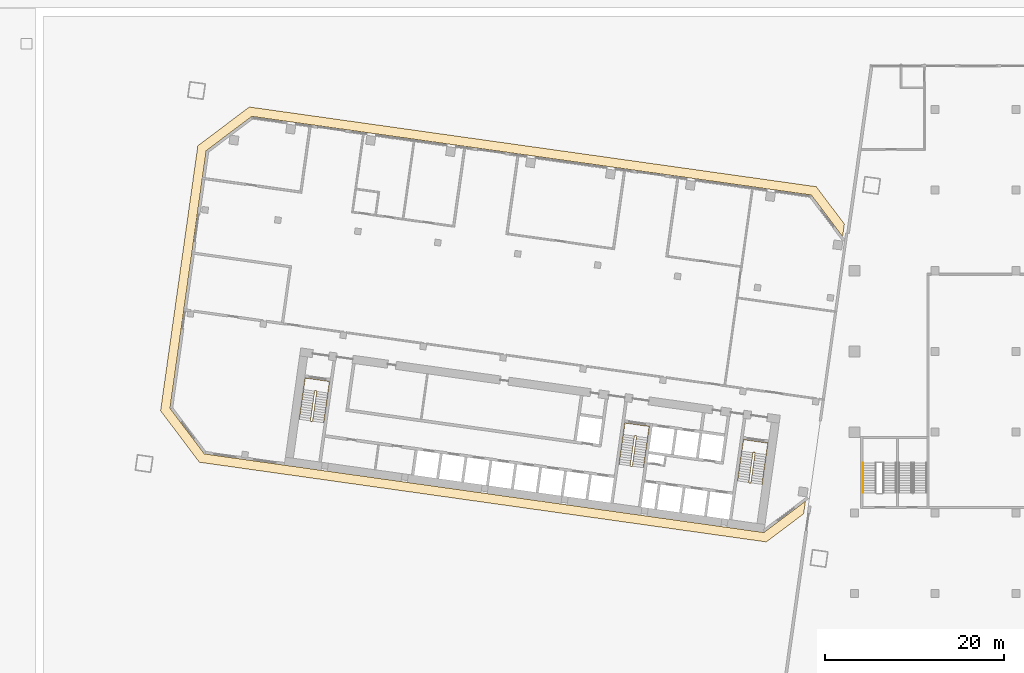
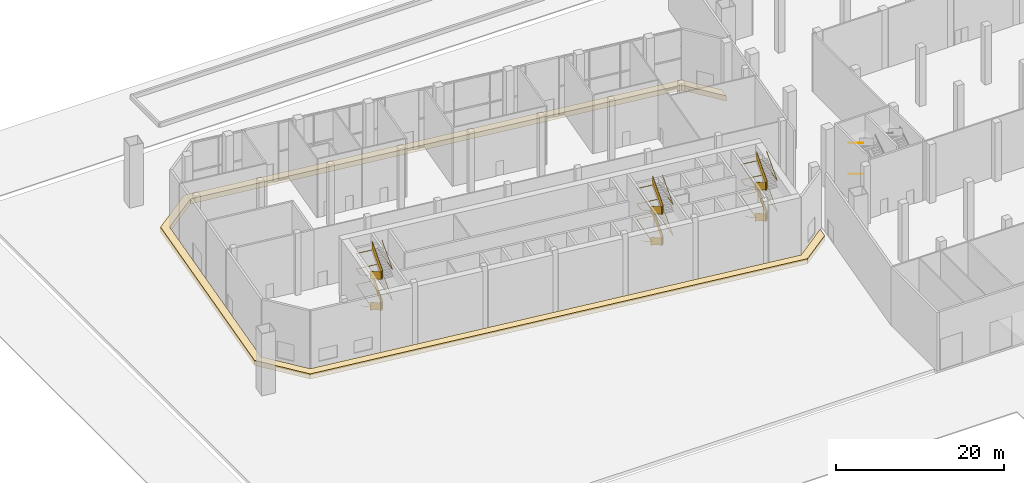
# One storey, part 31 of 34: 8 railings, 1 covering.
"""IFC4 building model written with IfcOpenShell, lengths in metres."""

from ifc_helpers import new_model, si_unit, direction, frame, origin, origin_2d, place, context, subcontext, project, spatial, polyline, rectangle, outline, extrude, material, layer, layer_set, type_object, element, save


model = new_model("IFC4")

# Units and contexts
model_context = context("Model", 3, precision=1e-05, world=origin(), true_north=direction((0.0, 1.0)))
body_context = subcontext(model_context, "Body", "Model", "MODEL_VIEW")
ifc_project = project(units=[si_unit("LENGTHUNIT", "METRE"), si_unit("AREAUNIT", "SQUARE_METRE"), si_unit("VOLUMEUNIT", "CUBIC_METRE"), si_unit("PLANEANGLEUNIT", "RADIAN"), si_unit("MASSUNIT", "GRAM", prefix="KILO")], contexts=[model_context])

# Site, building, storey
site_placement = place(None, origin())
site = spatial("IfcSite", under=ifc_project, at=site_placement, CompositionType="ELEMENT")
building_placement = place(site_placement, origin())
building = spatial("IfcBuilding", under=site, at=building_placement, Name="Mirante Cascada Hotel Towers", CompositionType="ELEMENT")
storey_placement = place(building_placement, origin())
storey = spatial("IfcBuildingStorey", under=building, at=storey_placement, Name="L00", CompositionType="ELEMENT", Elevation=0.0)

# Railings
ifc_material_1 = material(Name="Painted steel", Category="steel")
railing_type_1 = type_object("IfcRailingType", Name="Podium stair handrail 900 steel tube", PredefinedType="HANDRAIL", material=ifc_material_1)
for number, where, name in (
    (1, (-26.025, -12.415, 2.4231), "L00 PS3 stair handrail 2"),
    (2, (-26.025, -12.415, 6.9231), "L00 PS3 stair handrail 4"),
):
    element("IfcRailing", number, at=place(storey_placement, frame(where)), inside=storey, type_object=railing_type_1, Name=name, PredefinedType="HANDRAIL", context=body_context, shape_type="SweptSolid", body=[
        extrude(rectangle(XDim=0.048, YDim=0.048, at=origin_2d()), frame((0.0, 0.0, 0.876), z_axis=(0.0, -1.0, 0.0), x_axis=(1.0, 0.0, 0.0)), (0.0, 0.5257871, 0.8506162), 3.9501),
    ])

# Covering
ifc_material_2 = material(Name="Precast concrete C40/50 white", Category="concrete")
ifc_layer = layer(ifc_material_2, 0.6)
ifc_layer_set = layer_set([ifc_layer], Name="Precast concrete SUNSHADE band 1000x600")
covering_type = type_object("IfcCoveringType", Name="Precast concrete SUNSHADE band 1000x600", PredefinedType="CLADDING", material=ifc_layer_set)
covering_placement = place(storey_placement, frame((0.0, 0.0, -0.6)))
element("IfcCovering", 3, at=covering_placement, inside=storey, type_object=covering_type, Name="Precast concrete SUNSHADE band T1 L00", PredefinedType="CLADDING", context=body_context, shape_type="SweptSolid", body=[
    extrude(outline(polyline([(-100.2139, 22.9287), (-94.4698, 27.2572), (-31.2626, 18.374), (-28.1256, 14.2111), (-28.3224, 12.8107), (-31.8119, 17.4414), (-94.1988, 26.2093), (-99.2813, 22.3794), (-103.3173, -6.3384), (-99.4874, -11.4209), (-37.1005, -20.1888), (-32.4698, -16.6993), (-32.6666, -18.0998), (-36.8295, -21.2367), (-100.0367, -12.3535), (-104.3652, -6.6094), (-100.2139, 22.9287)])), origin(), (0.0, 0.0, 1.0), 0.75),
])

# Railings
ifc_material_3 = material(Name="Painted steel", Category="steel")
railing_type_2 = type_object("IfcRailingType", Name="Stair guard 1100 steel balustrade", PredefinedType="GUARDRAIL", material=ifc_material_3)
railing_1_placement = place(storey_placement, frame((-38.1178, -11.2603, 0.0)))
element("IfcRailing", 4, at=railing_1_placement, inside=storey, type_object=railing_type_2, Name="L00 ST1-A stair guard 1", PredefinedType="GUARDRAIL", context=body_context, shape_type="SweptSolid", body=[
    extrude(rectangle(XDim=0.048, YDim=0.048, at=origin_2d()), frame((0.0, 0.0, 1.076), z_axis=(-0.9903326, 0.1387133, 0.0), x_axis=(-0.1387133, -0.9903326, 0.0)), (0.0, 0.0, 1.0), 0.1499),
    extrude(rectangle(XDim=0.02, YDim=1.052, at=origin_2d()), frame((0.0, 0.0, 0.526), z_axis=(-0.9903326, 0.1387133, 0.0), x_axis=(-0.1387133, -0.9903326, 0.0)), (0.0, 0.0, 1.0), 0.1499),
    extrude(rectangle(XDim=0.048, YDim=0.048, at=origin_2d()), frame((-0.1485, 0.0208, 1.076), z_axis=(-0.7991505, -0.6011309, 0.0), x_axis=(0.6011309, -0.7991505, 0.0)), (0.0, 0.9257597, 0.3781125), 0.187),
    extrude(rectangle(XDim=0.02, YDim=1.052, at=origin_2d()), frame((-0.1485, 0.0208, 0.526), z_axis=(-0.7991505, -0.6011309, 0.0), x_axis=(0.6011309, -0.7991505, 0.0)), (0.0, 0.9257597, 0.3781125), 0.187),
    extrude(rectangle(XDim=0.048, YDim=0.048, at=origin_2d()), frame((-0.205, -0.0217, 1.2491), z_axis=(-0.1391668, -0.990269, 0.0), x_axis=(0.990269, -0.1391668, 0.0)), (0.0, 0.5257875, 0.8506159), 3.9501),
    extrude(rectangle(XDim=0.02, YDim=1.052, at=origin_2d()), frame((-0.205, -0.0217, 0.6991), z_axis=(-0.1391668, -0.990269, 0.0), x_axis=(0.990269, -0.1391668, 0.0)), (0.0, 0.5257875, 0.8506159), 3.9501),
    extrude(rectangle(XDim=0.048, YDim=0.048, at=origin_2d()), frame((-0.6726, -3.349, 3.326), z_axis=(0.9268624, -0.3754011, 0.0), x_axis=(0.3754011, 0.9268624, 0.0)), (0.0, 0.0, 1.0), 0.2062),
    extrude(rectangle(XDim=0.02, YDim=1.052, at=origin_2d()), frame((-0.6726, -3.349, 2.776), z_axis=(0.9268624, -0.3754011, 0.0), x_axis=(0.3754011, 0.9268624, 0.0)), (0.0, 0.0, 1.0), 0.2062),
    extrude(rectangle(XDim=0.048, YDim=0.048, at=origin_2d()), frame((-0.4815, -3.4264, 3.326), z_axis=(-0.9902537, 0.1392753, 0.0), x_axis=(-0.1392753, -0.9902537, 0.0)), (0.0, 0.0, 1.0), 0.1501),
    extrude(rectangle(XDim=0.02, YDim=1.052, at=origin_2d()), frame((-0.4815, -3.4264, 2.776), z_axis=(-0.9902537, 0.1392753, 0.0), x_axis=(-0.1392753, -0.9902537, 0.0)), (0.0, 0.0, 1.0), 0.1501),
    extrude(rectangle(XDim=0.048, YDim=0.048, at=origin_2d()), frame((-0.6301, -3.4055, 3.326), z_axis=(0.9944441, 0.1052656, 0.0), x_axis=(-0.1052656, 0.9944441, 0.0)), (0.0, 0.6430569, 0.7658184), 0.2692),
    extrude(rectangle(XDim=0.02, YDim=1.052, at=origin_2d()), frame((-0.6301, -3.4055, 2.776), z_axis=(0.9944441, 0.1052656, 0.0), x_axis=(-0.1052656, 0.9944441, 0.0)), (0.0, 0.6430569, 0.7658184), 0.2692),
    extrude(rectangle(XDim=0.048, YDim=0.048, at=origin_2d()), frame((-0.4251, -3.3838, 3.4991), z_axis=(0.139196, 0.9902648, 0.0), x_axis=(-0.9902648, 0.139196, 0.0)), (0.0, 0.525786, 0.8506169), 3.9501),
    extrude(rectangle(XDim=0.02, YDim=1.052, at=origin_2d()), frame((-0.4251, -3.3838, 2.9491), z_axis=(0.139196, 0.9902648, 0.0), x_axis=(-0.9902648, 0.139196, 0.0)), (0.0, 0.525786, 0.8506169), 3.9501),
    extrude(rectangle(XDim=0.048, YDim=0.048, at=origin_2d()), frame((0.0426, -0.0565, 5.576), z_axis=(-0.6020331, 0.7984711, 0.0), x_axis=(-0.7984711, -0.6020331, 0.0)), (0.0, 0.0, 1.0), 0.0708),
    extrude(rectangle(XDim=0.02, YDim=1.052, at=origin_2d()), frame((0.0426, -0.0565, 5.026), z_axis=(-0.6020331, 0.7984711, 0.0), x_axis=(-0.7984711, -0.6020331, 0.0)), (0.0, 0.0, 1.0), 0.0708),
    extrude(rectangle(XDim=0.048, YDim=0.048, at=origin_2d()), frame((0.0, 0.0, 5.576), z_axis=(-0.9903326, 0.1387133, 0.0), x_axis=(-0.1387133, -0.9903326, 0.0)), (0.0, 0.0, 1.0), 0.1499),
    extrude(rectangle(XDim=0.02, YDim=1.052, at=origin_2d()), frame((0.0, 0.0, 5.026), z_axis=(-0.9903326, 0.1387133, 0.0), x_axis=(-0.1387133, -0.9903326, 0.0)), (0.0, 0.0, 1.0), 0.1499),
    extrude(rectangle(XDim=0.048, YDim=0.048, at=origin_2d()), frame((-0.1485, 0.0208, 5.576), z_axis=(-0.7991505, -0.6011309, 0.0), x_axis=(0.6011309, -0.7991505, 0.0)), (0.0, 0.9257597, 0.3781125), 0.187),
    extrude(rectangle(XDim=0.02, YDim=1.052, at=origin_2d()), frame((-0.1485, 0.0208, 5.026), z_axis=(-0.7991505, -0.6011309, 0.0), x_axis=(0.6011309, -0.7991505, 0.0)), (0.0, 0.9257597, 0.3781125), 0.187),
    extrude(rectangle(XDim=0.048, YDim=0.048, at=origin_2d()), frame((-0.205, -0.0217, 5.7491), z_axis=(-0.1391668, -0.990269, 0.0), x_axis=(0.990269, -0.1391668, 0.0)), (0.0, 0.5257875, 0.8506159), 3.9501),
    extrude(rectangle(XDim=0.02, YDim=1.052, at=origin_2d()), frame((-0.205, -0.0217, 5.1991), z_axis=(-0.1391668, -0.990269, 0.0), x_axis=(0.990269, -0.1391668, 0.0)), (0.0, 0.5257875, 0.8506159), 3.9501),
    extrude(rectangle(XDim=0.048, YDim=0.048, at=origin_2d()), frame((-0.6726, -3.349, 7.826), z_axis=(0.9268624, -0.3754011, 0.0), x_axis=(0.3754011, 0.9268624, 0.0)), (0.0, 0.0, 1.0), 0.2062),
    extrude(rectangle(XDim=0.02, YDim=1.052, at=origin_2d()), frame((-0.6726, -3.349, 7.276), z_axis=(0.9268624, -0.3754011, 0.0), x_axis=(0.3754011, 0.9268624, 0.0)), (0.0, 0.0, 1.0), 0.2062),
    extrude(rectangle(XDim=0.048, YDim=0.048, at=origin_2d()), frame((-0.4815, -3.4264, 7.826), z_axis=(-0.9902537, 0.1392753, 0.0), x_axis=(-0.1392753, -0.9902537, 0.0)), (0.0, 0.0, 1.0), 0.1501),
    extrude(rectangle(XDim=0.02, YDim=1.052, at=origin_2d()), frame((-0.4815, -3.4264, 7.276), z_axis=(-0.9902537, 0.1392753, 0.0), x_axis=(-0.1392753, -0.9902537, 0.0)), (0.0, 0.0, 1.0), 0.1501),
    extrude(rectangle(XDim=0.048, YDim=0.048, at=origin_2d()), frame((-0.6301, -3.4055, 7.826), z_axis=(0.9944441, 0.1052656, 0.0), x_axis=(-0.1052656, 0.9944441, 0.0)), (0.0, 0.6430569, 0.7658184), 0.2692),
    extrude(rectangle(XDim=0.02, YDim=1.052, at=origin_2d()), frame((-0.6301, -3.4055, 7.276), z_axis=(0.9944441, 0.1052656, 0.0), x_axis=(-0.1052656, 0.9944441, 0.0)), (0.0, 0.6430569, 0.7658184), 0.2692),
    extrude(rectangle(XDim=0.048, YDim=0.048, at=origin_2d()), frame((-0.4251, -3.3838, 7.9991), z_axis=(0.139196, 0.9902648, 0.0), x_axis=(-0.9902648, 0.139196, 0.0)), (0.0, 0.525786, 0.8506169), 3.9501),
    extrude(rectangle(XDim=0.02, YDim=1.052, at=origin_2d()), frame((-0.4251, -3.3838, 7.4491), z_axis=(0.139196, 0.9902648, 0.0), x_axis=(-0.9902648, 0.139196, 0.0)), (0.0, 0.525786, 0.8506169), 3.9501),
])
railing_2_placement = place(storey_placement, frame((-51.3379, -9.4024, 0.0)))
element("IfcRailing", 5, at=railing_2_placement, inside=storey, type_object=railing_type_2, Name="L00 ST1-B stair guard 1", PredefinedType="GUARDRAIL", context=body_context, shape_type="SweptSolid", body=[
    extrude(rectangle(XDim=0.048, YDim=0.048, at=origin_2d()), frame((0.0, 0.0, 1.076), z_axis=(-0.9902408, 0.1393672, 0.0), x_axis=(-0.1393672, -0.9902408, 0.0)), (0.0, 0.0, 1.0), 0.15),
    extrude(rectangle(XDim=0.02, YDim=1.052, at=origin_2d()), frame((0.0, 0.0, 0.526), z_axis=(-0.9902408, 0.1393672, 0.0), x_axis=(-0.1393672, -0.9902408, 0.0)), (0.0, 0.0, 1.0), 0.15),
    extrude(rectangle(XDim=0.048, YDim=0.048, at=origin_2d()), frame((-0.1485, 0.0209, 1.076), z_axis=(-0.7984711, -0.6020331, 0.0), x_axis=(0.6020331, -0.7984711, 0.0)), (0.0, 0.925647, 0.3783882), 0.187),
    extrude(rectangle(XDim=0.02, YDim=1.052, at=origin_2d()), frame((-0.1485, 0.0209, 0.526), z_axis=(-0.7984711, -0.6020331, 0.0), x_axis=(0.6020331, -0.7984711, 0.0)), (0.0, 0.925647, 0.3783882), 0.187),
    extrude(rectangle(XDim=0.048, YDim=0.048, at=origin_2d()), frame((-0.205, -0.0217, 1.2491), z_axis=(-0.1391668, -0.990269, 0.0), x_axis=(0.990269, -0.1391668, 0.0)), (0.0, 0.5257875, 0.8506159), 3.9501),
    extrude(rectangle(XDim=0.02, YDim=1.052, at=origin_2d()), frame((-0.205, -0.0217, 0.6991), z_axis=(-0.1391668, -0.990269, 0.0), x_axis=(0.990269, -0.1391668, 0.0)), (0.0, 0.5257875, 0.8506159), 3.9501),
    extrude(rectangle(XDim=0.048, YDim=0.048, at=origin_2d()), frame((-0.6726, -3.349, 3.326), z_axis=(0.9270311, -0.3749843, 0.0), x_axis=(0.3749843, 0.9270311, 0.0)), (0.0, 0.0, 1.0), 0.2061),
    extrude(rectangle(XDim=0.02, YDim=1.052, at=origin_2d()), frame((-0.6726, -3.349, 2.776), z_axis=(0.9270311, -0.3749843, 0.0), x_axis=(0.3749843, 0.9270311, 0.0)), (0.0, 0.0, 1.0), 0.2061),
    extrude(rectangle(XDim=0.048, YDim=0.048, at=origin_2d()), frame((-0.4815, -3.4263, 3.326), z_axis=(-0.9902537, 0.1392753, 0.0), x_axis=(-0.1392753, -0.9902537, 0.0)), (0.0, 0.0, 1.0), 0.1501),
    extrude(rectangle(XDim=0.02, YDim=1.052, at=origin_2d()), frame((-0.4815, -3.4263, 2.776), z_axis=(-0.9902537, 0.1392753, 0.0), x_axis=(-0.1392753, -0.9902537, 0.0)), (0.0, 0.0, 1.0), 0.1501),
    extrude(rectangle(XDim=0.048, YDim=0.048, at=origin_2d()), frame((-0.6301, -3.4054, 3.326), z_axis=(0.9945001, 0.1047353, 0.0), x_axis=(-0.1047353, 0.9945001, 0.0)), (0.0, 0.6428942, 0.765955), 0.2693),
    extrude(rectangle(XDim=0.02, YDim=1.052, at=origin_2d()), frame((-0.6301, -3.4054, 2.776), z_axis=(0.9945001, 0.1047353, 0.0), x_axis=(-0.1047353, 0.9945001, 0.0)), (0.0, 0.6428942, 0.765955), 0.2693),
    extrude(rectangle(XDim=0.048, YDim=0.048, at=origin_2d()), frame((-0.425, -3.3838, 3.4991), z_axis=(0.1391668, 0.990269, 0.0), x_axis=(-0.990269, 0.1391668, 0.0)), (0.0, 0.5257875, 0.8506159), 3.9501),
    extrude(rectangle(XDim=0.02, YDim=1.052, at=origin_2d()), frame((-0.425, -3.3838, 2.9491), z_axis=(0.1391668, 0.990269, 0.0), x_axis=(-0.990269, 0.1391668, 0.0)), (0.0, 0.5257875, 0.8506159), 3.9501),
    extrude(rectangle(XDim=0.048, YDim=0.048, at=origin_2d()), frame((0.0426, -0.0565, 5.576), z_axis=(-0.6020331, 0.7984711, 0.0), x_axis=(-0.7984711, -0.6020331, 0.0)), (0.0, 0.0, 1.0), 0.0708),
    extrude(rectangle(XDim=0.02, YDim=1.052, at=origin_2d()), frame((0.0426, -0.0565, 5.026), z_axis=(-0.6020331, 0.7984711, 0.0), x_axis=(-0.7984711, -0.6020331, 0.0)), (0.0, 0.0, 1.0), 0.0708),
    extrude(rectangle(XDim=0.048, YDim=0.048, at=origin_2d()), frame((0.0, 0.0, 5.576), z_axis=(-0.9902408, 0.1393672, 0.0), x_axis=(-0.1393672, -0.9902408, 0.0)), (0.0, 0.0, 1.0), 0.15),
    extrude(rectangle(XDim=0.02, YDim=1.052, at=origin_2d()), frame((0.0, 0.0, 5.026), z_axis=(-0.9902408, 0.1393672, 0.0), x_axis=(-0.1393672, -0.9902408, 0.0)), (0.0, 0.0, 1.0), 0.15),
    extrude(rectangle(XDim=0.048, YDim=0.048, at=origin_2d()), frame((-0.1485, 0.0209, 5.576), z_axis=(-0.7984711, -0.6020331, 0.0), x_axis=(0.6020331, -0.7984711, 0.0)), (0.0, 0.925647, 0.3783882), 0.187),
    extrude(rectangle(XDim=0.02, YDim=1.052, at=origin_2d()), frame((-0.1485, 0.0209, 5.026), z_axis=(-0.7984711, -0.6020331, 0.0), x_axis=(0.6020331, -0.7984711, 0.0)), (0.0, 0.925647, 0.3783882), 0.187),
    extrude(rectangle(XDim=0.048, YDim=0.048, at=origin_2d()), frame((-0.205, -0.0217, 5.7491), z_axis=(-0.1391668, -0.990269, 0.0), x_axis=(0.990269, -0.1391668, 0.0)), (0.0, 0.5257875, 0.8506159), 3.9501),
    extrude(rectangle(XDim=0.02, YDim=1.052, at=origin_2d()), frame((-0.205, -0.0217, 5.1991), z_axis=(-0.1391668, -0.990269, 0.0), x_axis=(0.990269, -0.1391668, 0.0)), (0.0, 0.5257875, 0.8506159), 3.9501),
    extrude(rectangle(XDim=0.048, YDim=0.048, at=origin_2d()), frame((-0.6726, -3.349, 7.826), z_axis=(0.9270311, -0.3749843, 0.0), x_axis=(0.3749843, 0.9270311, 0.0)), (0.0, 0.0, 1.0), 0.2061),
    extrude(rectangle(XDim=0.02, YDim=1.052, at=origin_2d()), frame((-0.6726, -3.349, 7.276), z_axis=(0.9270311, -0.3749843, 0.0), x_axis=(0.3749843, 0.9270311, 0.0)), (0.0, 0.0, 1.0), 0.2061),
    extrude(rectangle(XDim=0.048, YDim=0.048, at=origin_2d()), frame((-0.4815, -3.4263, 7.826), z_axis=(-0.9902537, 0.1392753, 0.0), x_axis=(-0.1392753, -0.9902537, 0.0)), (0.0, 0.0, 1.0), 0.1501),
    extrude(rectangle(XDim=0.02, YDim=1.052, at=origin_2d()), frame((-0.4815, -3.4263, 7.276), z_axis=(-0.9902537, 0.1392753, 0.0), x_axis=(-0.1392753, -0.9902537, 0.0)), (0.0, 0.0, 1.0), 0.1501),
    extrude(rectangle(XDim=0.048, YDim=0.048, at=origin_2d()), frame((-0.6301, -3.4054, 7.826), z_axis=(0.9945001, 0.1047353, 0.0), x_axis=(-0.1047353, 0.9945001, 0.0)), (0.0, 0.6428942, 0.765955), 0.2693),
    extrude(rectangle(XDim=0.02, YDim=1.052, at=origin_2d()), frame((-0.6301, -3.4054, 7.276), z_axis=(0.9945001, 0.1047353, 0.0), x_axis=(-0.1047353, 0.9945001, 0.0)), (0.0, 0.6428942, 0.765955), 0.2693),
    extrude(rectangle(XDim=0.048, YDim=0.048, at=origin_2d()), frame((-0.425, -3.3838, 7.9991), z_axis=(0.1391668, 0.990269, 0.0), x_axis=(-0.990269, 0.1391668, 0.0)), (0.0, 0.5257875, 0.8506159), 3.9501),
    extrude(rectangle(XDim=0.02, YDim=1.052, at=origin_2d()), frame((-0.425, -3.3838, 7.4491), z_axis=(0.1391668, 0.990269, 0.0), x_axis=(-0.990269, 0.1391668, 0.0)), (0.0, 0.5257875, 0.8506159), 3.9501),
])
railing_3_placement = place(storey_placement, frame((-86.9875, -4.3922, 0.0)))
element("IfcRailing", 6, at=railing_3_placement, inside=storey, type_object=railing_type_2, Name="L00 ST1-C stair guard 1", PredefinedType="GUARDRAIL", context=body_context, shape_type="SweptSolid", body=[
    extrude(rectangle(XDim=0.048, YDim=0.048, at=origin_2d()), frame((0.0, 0.0, 1.076), z_axis=(-0.9902537, 0.1392753, 0.0), x_axis=(-0.1392753, -0.9902537, 0.0)), (0.0, 0.0, 1.0), 0.1501),
    extrude(rectangle(XDim=0.02, YDim=1.052, at=origin_2d()), frame((0.0, 0.0, 0.526), z_axis=(-0.9902537, 0.1392753, 0.0), x_axis=(-0.1392753, -0.9902537, 0.0)), (0.0, 0.0, 1.0), 0.1501),
    extrude(rectangle(XDim=0.048, YDim=0.048, at=origin_2d()), frame((-0.1486, 0.0209, 1.076), z_axis=(-0.7986386, -0.601811, 0.0), x_axis=(0.601811, -0.7986386, 0.0)), (0.0, 0.9259092, 0.3777462), 0.187),
    extrude(rectangle(XDim=0.02, YDim=1.052, at=origin_2d()), frame((-0.1486, 0.0209, 0.526), z_axis=(-0.7986386, -0.601811, 0.0), x_axis=(0.601811, -0.7986386, 0.0)), (0.0, 0.9259092, 0.3777462), 0.187),
    extrude(rectangle(XDim=0.048, YDim=0.048, at=origin_2d()), frame((-0.205, -0.0216, 1.2491), z_axis=(-0.139196, -0.9902648, 0.0), x_axis=(0.9902648, -0.139196, 0.0)), (0.0, 0.525786, 0.8506169), 3.9501),
    extrude(rectangle(XDim=0.02, YDim=1.052, at=origin_2d()), frame((-0.205, -0.0216, 0.6991), z_axis=(-0.139196, -0.9902648, 0.0), x_axis=(0.9902648, -0.139196, 0.0)), (0.0, 0.525786, 0.8506169), 3.9501),
    extrude(rectangle(XDim=0.048, YDim=0.048, at=origin_2d()), frame((-0.6727, -3.3489, 3.326), z_axis=(0.9268624, -0.3754011, 0.0), x_axis=(0.3754011, 0.9268624, 0.0)), (0.0, 0.0, 1.0), 0.2062),
    extrude(rectangle(XDim=0.02, YDim=1.052, at=origin_2d()), frame((-0.6727, -3.3489, 2.776), z_axis=(0.9268624, -0.3754011, 0.0), x_axis=(0.3754011, 0.9268624, 0.0)), (0.0, 0.0, 1.0), 0.2062),
    extrude(rectangle(XDim=0.048, YDim=0.048, at=origin_2d()), frame((-0.4816, -3.4263, 3.326), z_axis=(-0.9902408, 0.1393672, 0.0), x_axis=(-0.1393672, -0.9902408, 0.0)), (0.0, 0.0, 1.0), 0.15),
    extrude(rectangle(XDim=0.02, YDim=1.052, at=origin_2d()), frame((-0.4816, -3.4263, 2.776), z_axis=(-0.9902408, 0.1393672, 0.0), x_axis=(-0.1393672, -0.9902408, 0.0)), (0.0, 0.0, 1.0), 0.15),
    extrude(rectangle(XDim=0.048, YDim=0.048, at=origin_2d()), frame((-0.6301, -3.4054, 3.326), z_axis=(0.9944441, 0.1052656, 0.0), x_axis=(-0.1052656, 0.9944441, 0.0)), (0.0, 0.6430569, 0.7658184), 0.2692),
    extrude(rectangle(XDim=0.02, YDim=1.052, at=origin_2d()), frame((-0.6301, -3.4054, 2.776), z_axis=(0.9944441, 0.1052656, 0.0), x_axis=(-0.1052656, 0.9944441, 0.0)), (0.0, 0.6430569, 0.7658184), 0.2692),
    extrude(rectangle(XDim=0.048, YDim=0.048, at=origin_2d()), frame((-0.4251, -3.3837, 3.4991), z_axis=(0.1391668, 0.990269, 0.0), x_axis=(-0.990269, 0.1391668, 0.0)), (0.0, 0.5257875, 0.8506159), 3.9501),
    extrude(rectangle(XDim=0.02, YDim=1.052, at=origin_2d()), frame((-0.4251, -3.3837, 2.9491), z_axis=(0.1391668, 0.990269, 0.0), x_axis=(-0.990269, 0.1391668, 0.0)), (0.0, 0.5257875, 0.8506159), 3.9501),
    extrude(rectangle(XDim=0.048, YDim=0.048, at=origin_2d()), frame((0.0425, -0.0564, 5.576), z_axis=(-0.601811, 0.7986386, 0.0), x_axis=(-0.7986386, -0.601811, 0.0)), (0.0, 0.0, 1.0), 0.0706),
    extrude(rectangle(XDim=0.02, YDim=1.052, at=origin_2d()), frame((0.0425, -0.0564, 5.026), z_axis=(-0.601811, 0.7986386, 0.0), x_axis=(-0.7986386, -0.601811, 0.0)), (0.0, 0.0, 1.0), 0.0706),
    extrude(rectangle(XDim=0.048, YDim=0.048, at=origin_2d()), frame((0.0, 0.0, 5.576), z_axis=(-0.9902537, 0.1392753, 0.0), x_axis=(-0.1392753, -0.9902537, 0.0)), (0.0, 0.0, 1.0), 0.1501),
    extrude(rectangle(XDim=0.02, YDim=1.052, at=origin_2d()), frame((0.0, 0.0, 5.026), z_axis=(-0.9902537, 0.1392753, 0.0), x_axis=(-0.1392753, -0.9902537, 0.0)), (0.0, 0.0, 1.0), 0.1501),
    extrude(rectangle(XDim=0.048, YDim=0.048, at=origin_2d()), frame((-0.1486, 0.0209, 5.576), z_axis=(-0.7986386, -0.601811, 0.0), x_axis=(0.601811, -0.7986386, 0.0)), (0.0, 0.9259092, 0.3777462), 0.187),
    extrude(rectangle(XDim=0.02, YDim=1.052, at=origin_2d()), frame((-0.1486, 0.0209, 5.026), z_axis=(-0.7986386, -0.601811, 0.0), x_axis=(0.601811, -0.7986386, 0.0)), (0.0, 0.9259092, 0.3777462), 0.187),
    extrude(rectangle(XDim=0.048, YDim=0.048, at=origin_2d()), frame((-0.205, -0.0216, 5.7491), z_axis=(-0.139196, -0.9902648, 0.0), x_axis=(0.9902648, -0.139196, 0.0)), (0.0, 0.525786, 0.8506169), 3.9501),
    extrude(rectangle(XDim=0.02, YDim=1.052, at=origin_2d()), frame((-0.205, -0.0216, 5.1991), z_axis=(-0.139196, -0.9902648, 0.0), x_axis=(0.9902648, -0.139196, 0.0)), (0.0, 0.525786, 0.8506169), 3.9501),
    extrude(rectangle(XDim=0.048, YDim=0.048, at=origin_2d()), frame((-0.6727, -3.3489, 7.826), z_axis=(0.9268624, -0.3754011, 0.0), x_axis=(0.3754011, 0.9268624, 0.0)), (0.0, 0.0, 1.0), 0.2062),
    extrude(rectangle(XDim=0.02, YDim=1.052, at=origin_2d()), frame((-0.6727, -3.3489, 7.276), z_axis=(0.9268624, -0.3754011, 0.0), x_axis=(0.3754011, 0.9268624, 0.0)), (0.0, 0.0, 1.0), 0.2062),
    extrude(rectangle(XDim=0.048, YDim=0.048, at=origin_2d()), frame((-0.4816, -3.4263, 7.826), z_axis=(-0.9902408, 0.1393672, 0.0), x_axis=(-0.1393672, -0.9902408, 0.0)), (0.0, 0.0, 1.0), 0.15),
    extrude(rectangle(XDim=0.02, YDim=1.052, at=origin_2d()), frame((-0.4816, -3.4263, 7.276), z_axis=(-0.9902408, 0.1393672, 0.0), x_axis=(-0.1393672, -0.9902408, 0.0)), (0.0, 0.0, 1.0), 0.15),
    extrude(rectangle(XDim=0.048, YDim=0.048, at=origin_2d()), frame((-0.6301, -3.4054, 7.826), z_axis=(0.9944441, 0.1052656, 0.0), x_axis=(-0.1052656, 0.9944441, 0.0)), (0.0, 0.6430569, 0.7658184), 0.2692),
    extrude(rectangle(XDim=0.02, YDim=1.052, at=origin_2d()), frame((-0.6301, -3.4054, 7.276), z_axis=(0.9944441, 0.1052656, 0.0), x_axis=(-0.1052656, 0.9944441, 0.0)), (0.0, 0.6430569, 0.7658184), 0.2692),
    extrude(rectangle(XDim=0.048, YDim=0.048, at=origin_2d()), frame((-0.4251, -3.3837, 7.9991), z_axis=(0.1391668, 0.990269, 0.0), x_axis=(-0.990269, 0.1391668, 0.0)), (0.0, 0.5257875, 0.8506159), 3.9501),
    extrude(rectangle(XDim=0.02, YDim=1.052, at=origin_2d()), frame((-0.4251, -3.3837, 7.4491), z_axis=(0.1391668, 0.990269, 0.0), x_axis=(-0.990269, 0.1391668, 0.0)), (0.0, 0.5257875, 0.8506159), 3.9501),
])
ifc_material_4 = material(Name="Painted steel", Category="steel")
railing_type_3 = type_object("IfcRailingType", Name="Stair handrail 900 steel tube", PredefinedType="HANDRAIL", material=ifc_material_4)
railing_4_placement = place(storey_placement, frame((-39.5606, -11.1081, 0.1731)))
element("IfcRailing", 7, at=railing_4_placement, inside=storey, type_object=railing_type_3, Name="L00 ST1-A stair handrail 1", PredefinedType="HANDRAIL", context=body_context, shape_type="SweptSolid", body=[
    extrude(rectangle(XDim=0.048, YDim=0.048, at=origin_2d()), frame((0.0, 0.0, 0.876), z_axis=(-0.139196, -0.9902648, 0.0), x_axis=(0.9902648, -0.139196, 0.0)), (0.0, 0.525786, 0.8506169), 3.9501),
    extrude(rectangle(XDim=0.048, YDim=0.048, at=origin_2d()), frame((-0.4677, -3.3273, 2.9529), z_axis=(0.1391828, 0.9902667, 0.0), x_axis=(-0.9902667, 0.1391828, 0.0)), (0.0, 0.0371199, 0.9993108), 4.6633),
    extrude(rectangle(XDim=0.048, YDim=0.048, at=origin_2d()), frame((0.1809, 1.2874, 3.126), z_axis=(0.9902691, -0.1391657, 0.0), x_axis=(0.1391657, 0.9902691, 0.0)), (0.0, 0.0, 1.0), 2.75),
    extrude(rectangle(XDim=0.048, YDim=0.048, at=origin_2d()), frame((2.9041, 0.9047, 3.126), z_axis=(-0.1391618, -0.9902697, 0.0), x_axis=(0.9902697, -0.1391618, 0.0)), (0.0, 0.0, 1.0), 4.66),
    extrude(rectangle(XDim=0.048, YDim=0.048, at=origin_2d()), frame((2.2556, -3.71, 3.126), z_axis=(0.1391668, 0.990269, 0.0), x_axis=(-0.990269, 0.1391668, 0.0)), (0.0, 0.5257875, 0.8506159), 3.9501),
    extrude(rectangle(XDim=0.048, YDim=0.048, at=origin_2d()), frame((2.7231, -0.3837, 5.2028), z_axis=(0.1391488, 0.9902715, 0.0), x_axis=(-0.9902715, 0.1391488, 0.0)), (0.0, 0.1319842, 0.9912518), 1.3125),
    extrude(rectangle(XDim=0.048, YDim=0.048, at=origin_2d()), frame((2.9041, 0.9047, 5.376), z_axis=(-0.9902691, 0.1391657, 0.0), x_axis=(-0.1391657, -0.9902691, 0.0)), (0.0, 0.0, 1.0), 2.75),
    extrude(rectangle(XDim=0.048, YDim=0.048, at=origin_2d()), frame((0.1809, 1.2874, 5.376), z_axis=(-0.1391488, -0.9902715, 0.0), x_axis=(0.9902715, -0.1391488, 0.0)), (0.0, 0.0, 1.0), 1.3),
    extrude(rectangle(XDim=0.048, YDim=0.048, at=origin_2d()), frame((0.0001, 0.0008, 5.3755), z_axis=(-0.139196, -0.9902648, 0.0), x_axis=(0.9902648, -0.139196, 0.0)), (0.0, 0.525786, 0.8506169), 3.9511),
    extrude(rectangle(XDim=0.048, YDim=0.048, at=origin_2d()), frame((-0.4677, -3.3273, 7.4529), z_axis=(0.1391828, 0.9902667, 0.0), x_axis=(-0.9902667, 0.1391828, 0.0)), (0.0, 0.0371199, 0.9993108), 4.6633),
    extrude(rectangle(XDim=0.048, YDim=0.048, at=origin_2d()), frame((0.1809, 1.2874, 7.626), z_axis=(0.9902691, -0.1391657, 0.0), x_axis=(0.1391657, 0.9902691, 0.0)), (0.0, 0.0, 1.0), 2.75),
    extrude(rectangle(XDim=0.048, YDim=0.048, at=origin_2d()), frame((2.9041, 0.9047, 7.626), z_axis=(-0.1391618, -0.9902697, 0.0), x_axis=(0.9902697, -0.1391618, 0.0)), (0.0, 0.0, 1.0), 4.66),
    extrude(rectangle(XDim=0.048, YDim=0.048, at=origin_2d()), frame((2.2556, -3.71, 7.626), z_axis=(0.1391668, 0.990269, 0.0), x_axis=(-0.990269, 0.1391668, 0.0)), (0.0, 0.5257875, 0.8506159), 3.9501),
])
railing_5_placement = place(storey_placement, frame((-52.7807, -9.2501, 0.1731)))
element("IfcRailing", 8, at=railing_5_placement, inside=storey, type_object=railing_type_3, Name="L00 ST1-B stair handrail 1", PredefinedType="HANDRAIL", context=body_context, shape_type="SweptSolid", body=[
    extrude(rectangle(XDim=0.048, YDim=0.048, at=origin_2d()), frame((0.0, 0.0, 0.876), z_axis=(-0.1391668, -0.990269, 0.0), x_axis=(0.990269, -0.1391668, 0.0)), (0.0, 0.5257875, 0.8506159), 3.9501),
    extrude(rectangle(XDim=0.048, YDim=0.048, at=origin_2d()), frame((-0.4676, -3.3273, 2.9529), z_axis=(0.1391618, 0.9902697, 0.0), x_axis=(-0.9902697, 0.1391618, 0.0)), (0.0, 0.03712, 0.9993108), 4.6633),
    extrude(rectangle(XDim=0.048, YDim=0.048, at=origin_2d()), frame((0.1809, 1.2874, 3.126), z_axis=(0.9902641, -0.1392013, 0.0), x_axis=(0.1392013, 0.9902641, 0.0)), (0.0, 0.0, 1.0), 2.75),
    extrude(rectangle(XDim=0.048, YDim=0.048, at=origin_2d()), frame((2.9041, 0.9046, 3.126), z_axis=(-0.1391647, -0.9902692, 0.0), x_axis=(0.9902692, -0.1391647, 0.0)), (0.0, 0.0, 1.0), 4.6599),
    extrude(rectangle(XDim=0.048, YDim=0.048, at=origin_2d()), frame((2.2556, -3.71, 3.126), z_axis=(0.1391668, 0.990269, 0.0), x_axis=(-0.990269, 0.1391668, 0.0)), (0.0, 0.5257875, 0.8506159), 3.9501),
    extrude(rectangle(XDim=0.048, YDim=0.048, at=origin_2d()), frame((2.7231, -0.3837, 5.2028), z_axis=(0.1391594, 0.99027, 0.0), x_axis=(-0.99027, 0.1391594, 0.0)), (0.0, 0.131994, 0.9912505), 1.3124),
    extrude(rectangle(XDim=0.048, YDim=0.048, at=origin_2d()), frame((2.9041, 0.9046, 5.376), z_axis=(-0.9902641, 0.1392013, 0.0), x_axis=(-0.1392013, -0.9902641, 0.0)), (0.0, 0.0, 1.0), 2.75),
    extrude(rectangle(XDim=0.048, YDim=0.048, at=origin_2d()), frame((0.1809, 1.2874, 5.376), z_axis=(-0.1391488, -0.9902715, 0.0), x_axis=(0.9902715, -0.1391488, 0.0)), (0.0, 0.0, 1.0), 1.3),
    extrude(rectangle(XDim=0.048, YDim=0.048, at=origin_2d()), frame((0.0001, 0.0008, 5.3755), z_axis=(-0.1391668, -0.990269, 0.0), x_axis=(0.990269, -0.1391668, 0.0)), (0.0, 0.5257875, 0.8506159), 3.9511),
    extrude(rectangle(XDim=0.048, YDim=0.048, at=origin_2d()), frame((-0.4676, -3.3273, 7.4529), z_axis=(0.1391618, 0.9902697, 0.0), x_axis=(-0.9902697, 0.1391618, 0.0)), (0.0, 0.03712, 0.9993108), 4.6633),
    extrude(rectangle(XDim=0.048, YDim=0.048, at=origin_2d()), frame((0.1809, 1.2874, 7.626), z_axis=(0.9902641, -0.1392013, 0.0), x_axis=(0.1392013, 0.9902641, 0.0)), (0.0, 0.0, 1.0), 2.75),
    extrude(rectangle(XDim=0.048, YDim=0.048, at=origin_2d()), frame((2.9041, 0.9046, 7.626), z_axis=(-0.1391647, -0.9902692, 0.0), x_axis=(0.9902692, -0.1391647, 0.0)), (0.0, 0.0, 1.0), 4.6599),
    extrude(rectangle(XDim=0.048, YDim=0.048, at=origin_2d()), frame((2.2556, -3.71, 7.626), z_axis=(0.1391668, 0.990269, 0.0), x_axis=(-0.990269, 0.1391668, 0.0)), (0.0, 0.5257875, 0.8506159), 3.9501),
])
railing_6_placement = place(storey_placement, frame((-88.4304, -4.2399, 0.1731)))
element("IfcRailing", 9, at=railing_6_placement, inside=storey, type_object=railing_type_3, Name="L00 ST1-C stair handrail 1", PredefinedType="HANDRAIL", context=body_context, shape_type="SweptSolid", body=[
    extrude(rectangle(XDim=0.048, YDim=0.048, at=origin_2d()), frame((0.0, 0.0, 0.876), z_axis=(-0.1391668, -0.990269, 0.0), x_axis=(0.990269, -0.1391668, 0.0)), (0.0, 0.5257875, 0.8506159), 3.9501),
    extrude(rectangle(XDim=0.048, YDim=0.048, at=origin_2d()), frame((-0.4676, -3.3273, 2.9529), z_axis=(0.1391828, 0.9902667, 0.0), x_axis=(-0.9902667, 0.1391828, 0.0)), (0.0, 0.0371199, 0.9993108), 4.6633),
    extrude(rectangle(XDim=0.048, YDim=0.048, at=origin_2d()), frame((0.181, 1.2874, 3.126), z_axis=(0.9902691, -0.1391657, 0.0), x_axis=(0.1391657, 0.9902691, 0.0)), (0.0, 0.0, 1.0), 2.75),
    extrude(rectangle(XDim=0.048, YDim=0.048, at=origin_2d()), frame((2.9042, 0.9047, 3.126), z_axis=(-0.1391828, -0.9902667, 0.0), x_axis=(0.9902667, -0.1391828, 0.0)), (0.0, 0.0, 1.0), 4.6601),
    extrude(rectangle(XDim=0.048, YDim=0.048, at=origin_2d()), frame((2.2556, -3.71, 3.126), z_axis=(0.139196, 0.9902648, 0.0), x_axis=(-0.9902648, 0.139196, 0.0)), (0.0, 0.525786, 0.8506169), 3.9501),
    extrude(rectangle(XDim=0.048, YDim=0.048, at=origin_2d()), frame((2.7232, -0.3837, 5.2028), z_axis=(0.1391488, 0.9902715, 0.0), x_axis=(-0.9902715, 0.1391488, 0.0)), (0.0, 0.1319842, 0.9912518), 1.3125),
    extrude(rectangle(XDim=0.048, YDim=0.048, at=origin_2d()), frame((2.9042, 0.9047, 5.376), z_axis=(-0.9902691, 0.1391657, 0.0), x_axis=(-0.1391657, -0.9902691, 0.0)), (0.0, 0.0, 1.0), 2.75),
    extrude(rectangle(XDim=0.048, YDim=0.048, at=origin_2d()), frame((0.181, 1.2874, 5.376), z_axis=(-0.1392242, -0.9902609, 0.0), x_axis=(0.9902609, -0.1392242, 0.0)), (0.0, 0.0, 1.0), 1.3001),
    extrude(rectangle(XDim=0.048, YDim=0.048, at=origin_2d()), frame((0.0001, 0.0008, 5.3755), z_axis=(-0.1391668, -0.990269, 0.0), x_axis=(0.990269, -0.1391668, 0.0)), (0.0, 0.5257875, 0.8506159), 3.9511),
    extrude(rectangle(XDim=0.048, YDim=0.048, at=origin_2d()), frame((-0.4676, -3.3273, 7.4529), z_axis=(0.1391828, 0.9902667, 0.0), x_axis=(-0.9902667, 0.1391828, 0.0)), (0.0, 0.0371199, 0.9993108), 4.6633),
    extrude(rectangle(XDim=0.048, YDim=0.048, at=origin_2d()), frame((0.181, 1.2874, 7.626), z_axis=(0.9902691, -0.1391657, 0.0), x_axis=(0.1391657, 0.9902691, 0.0)), (0.0, 0.0, 1.0), 2.75),
    extrude(rectangle(XDim=0.048, YDim=0.048, at=origin_2d()), frame((2.9042, 0.9047, 7.626), z_axis=(-0.1391828, -0.9902667, 0.0), x_axis=(0.9902667, -0.1391828, 0.0)), (0.0, 0.0, 1.0), 4.6601),
    extrude(rectangle(XDim=0.048, YDim=0.048, at=origin_2d()), frame((2.2556, -3.71, 7.626), z_axis=(0.139196, 0.9902648, 0.0), x_axis=(-0.9902648, 0.139196, 0.0)), (0.0, 0.525786, 0.8506169), 3.9501),
])

save(model, "model.ifc")
